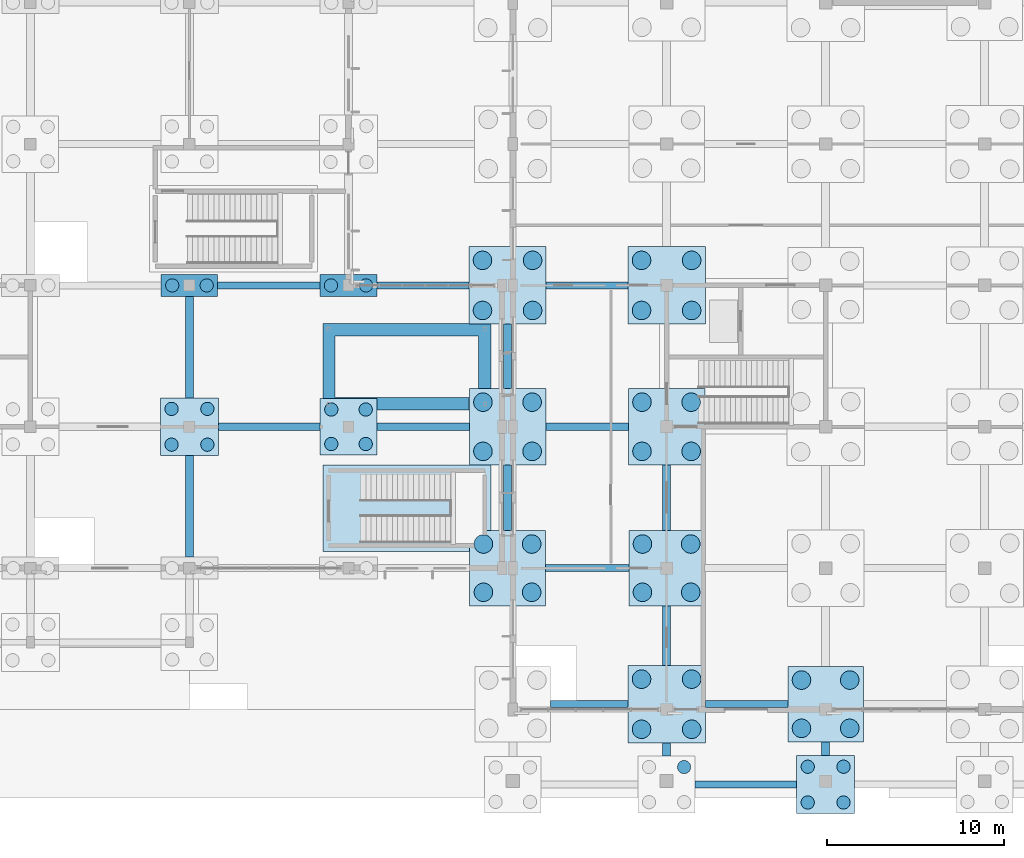
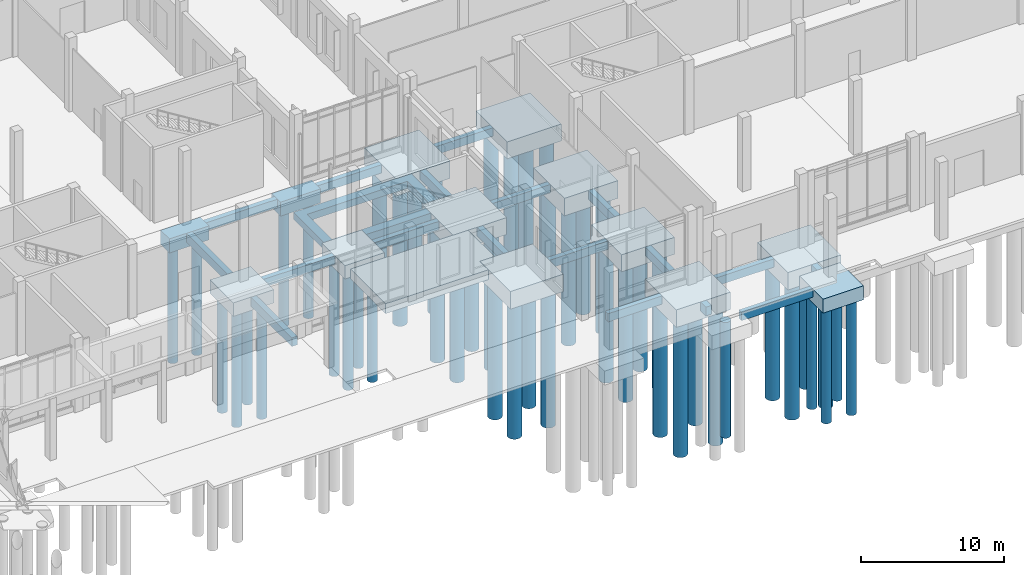
# One storey, part 12 of 99: 49 piles, 33 footings.
"""IFC4 building model written with IfcOpenShell, lengths in metres."""

from ifc_helpers import new_model, si_unit, direction, frame, origin, origin_2d, place, context, subcontext, project, spatial, polyline, rectangle, circle, outline, extrude, material, layer, layer_set, material_profile, profile_set, type_object, element, save


model = new_model("IFC4")

# Units and contexts
model_context = context("Model", 3, precision=1e-05, world=origin(), true_north=direction((0.0, 1.0)))
body_context = subcontext(model_context, "Body", "Model", "MODEL_VIEW")
ifc_project = project(units=[si_unit("LENGTHUNIT", "METRE"), si_unit("AREAUNIT", "SQUARE_METRE"), si_unit("VOLUMEUNIT", "CUBIC_METRE"), si_unit("PLANEANGLEUNIT", "RADIAN"), si_unit("MASSUNIT", "GRAM", prefix="KILO")], contexts=[model_context])

# Site, building, storey
site_placement = place(None, origin())
site = spatial("IfcSite", under=ifc_project, at=site_placement, CompositionType="ELEMENT")
building_placement = place(site_placement, origin())
building = spatial("IfcBuilding", under=site, at=building_placement, Name="Zacnel Wholesale Market", CompositionType="ELEMENT")
storey_placement = place(building_placement, origin())
storey = spatial("IfcBuildingStorey", under=building, at=storey_placement, Name="L01", CompositionType="ELEMENT", Elevation=0.0)

# Footings
ifc_material_1 = material(Name="Concrete C35/45", Category="concrete")
ifc_material_profile_1 = material_profile(ifc_material_1, rectangle(XDim=0.39990234375, YDim=0.699951171875, at=origin_2d()), Name="CT 400x700")
ifc_profile_set_1 = profile_set([ifc_material_profile_1], Name="Concrete C35/45")
footing_type_1 = type_object("IfcFootingType", Name="FTG-CT400X700", PredefinedType="FOOTING_BEAM", material=ifc_profile_set_1)
footing_1_placement = place(storey_placement, frame((154.6201171875, -4.25, -0.85009765625), z_axis=(1.0, 0.0, 0.0), x_axis=(0.0, 1.0, 0.0)))
element("IfcFooting", 1, at=footing_1_placement, inside=storey, type_object=footing_type_1, Name="Ground tie beam CT-X-0239", PredefinedType="FOOTING_BEAM", context=body_context, shape_type="SweptSolid", body=[
    extrude(rectangle(XDim=0.39990234375, YDim=0.699951171875, at=origin_2d()), origin(), (0.0, 0.0, 1.0), 5.744873046875),
])
footing_2_placement = place(storey_placement, frame((146.43994140625, 0.300048828125, -0.85009765625), z_axis=(1.0, 0.0, 0.0), x_axis=(0.0, 1.0, 0.0)))
element("IfcFooting", 2, at=footing_2_placement, inside=storey, type_object=footing_type_1, Name="Ground tie beam CT-X-0256", PredefinedType="FOOTING_BEAM", context=body_context, shape_type="SweptSolid", body=[
    extrude(rectangle(XDim=0.39990234375, YDim=0.699951171875, at=origin_2d()), origin(), (0.0, 0.0, 1.0), 4.3701171875),
])
footing_3_placement = place(storey_placement, frame((155.18994140625, 0.300048828125, -0.85009765625), z_axis=(1.0, 0.0, 0.0), x_axis=(0.0, 1.0, 0.0)))
element("IfcFooting", 3, at=footing_3_placement, inside=storey, type_object=footing_type_1, Name="Ground tie beam CT-X-0257", PredefinedType="FOOTING_BEAM", context=body_context, shape_type="SweptSolid", body=[
    extrude(rectangle(XDim=0.39990234375, YDim=0.699951171875, at=origin_2d()), origin(), (0.0, 0.0, 1.0), 4.670166015625),
])
footing_4_placement = place(storey_placement, frame((146.139892578125, 8.0, -0.85009765625), z_axis=(1.0, 0.0, 0.0), x_axis=(0.0, 1.0, 0.0)))
element("IfcFooting", 4, at=footing_4_placement, inside=storey, type_object=footing_type_1, Name="Ground tie beam CT-X-0277", PredefinedType="FOOTING_BEAM", context=body_context, shape_type="SweptSolid", body=[
    extrude(rectangle(XDim=0.39990234375, YDim=0.699951171875, at=origin_2d()), origin(), (0.0, 0.0, 1.0), 4.72021484375),
])
footing_5_placement = place(storey_placement, frame((127.635009765625, 16.0, -0.85009765625), z_axis=(1.0, 0.0, 0.0), x_axis=(0.0, 1.0, 0.0)))
element("IfcFooting", 5, at=footing_5_placement, inside=storey, type_object=footing_type_1, Name="Ground tie beam CT-X-0290", PredefinedType="FOOTING_BEAM", context=body_context, shape_type="SweptSolid", body=[
    extrude(rectangle(XDim=0.39990234375, YDim=0.699951171875, at=origin_2d()), origin(), (0.0, 0.0, 1.0), 5.764892578125),
])
footing_6_placement = place(storey_placement, frame((136.60009765625, 16.0, -0.85009765625), z_axis=(1.0, 0.0, 0.0), x_axis=(0.0, 1.0, 0.0)))
element("IfcFooting", 6, at=footing_6_placement, inside=storey, type_object=footing_type_1, Name="Ground tie beam CT-X-0291", PredefinedType="FOOTING_BEAM", context=body_context, shape_type="SweptSolid", body=[
    extrude(rectangle(XDim=0.39990234375, YDim=0.699951171875, at=origin_2d()), origin(), (0.0, 0.0, 1.0), 5.23486328125),
])
footing_7_placement = place(storey_placement, frame((146.1650390625, 16.0, -0.85009765625), z_axis=(1.0, 0.0, 0.0), x_axis=(0.0, 1.0, 0.0)))
element("IfcFooting", 7, at=footing_7_placement, inside=storey, type_object=footing_type_1, Name="Ground tie beam CT-X-0292", PredefinedType="FOOTING_BEAM", context=body_context, shape_type="SweptSolid", body=[
    extrude(rectangle(XDim=0.39990234375, YDim=0.699951171875, at=origin_2d()), origin(), (0.0, 0.0, 1.0), 4.669921875),
])
footing_8_placement = place(storey_placement, frame((127.60009765625, 24.0, -0.85009765625), z_axis=(1.0, 0.0, 0.0), x_axis=(0.0, 1.0, 0.0)))
element("IfcFooting", 8, at=footing_8_placement, inside=storey, type_object=footing_type_1, Name="Ground tie beam CT-X-0310", PredefinedType="FOOTING_BEAM", context=body_context, shape_type="SweptSolid", body=[
    extrude(rectangle(XDim=0.39990234375, YDim=0.699951171875, at=origin_2d()), origin(), (0.0, 0.0, 1.0), 5.77978515625),
])
footing_9_placement = place(storey_placement, frame((136.6201171875, 24.0, -0.85009765625), z_axis=(1.0, 0.0, 0.0), x_axis=(0.0, 1.0, 0.0)))
element("IfcFooting", 9, at=footing_9_placement, inside=storey, type_object=footing_type_1, Name="Ground tie beam CT-X-0311", PredefinedType="FOOTING_BEAM", context=body_context, shape_type="SweptSolid", body=[
    extrude(rectangle(XDim=0.39990234375, YDim=0.699951171875, at=origin_2d()), origin(), (0.0, 0.0, 1.0), 5.18994140625),
])
footing_10_placement = place(storey_placement, frame((146.18994140625, 24.0, -0.85009765625), z_axis=(1.0, 0.0, 0.0), x_axis=(0.0, 1.0, 0.0)))
element("IfcFooting", 10, at=footing_10_placement, inside=storey, type_object=footing_type_1, Name="Ground tie beam CT-X-0312", PredefinedType="FOOTING_BEAM", context=body_context, shape_type="SweptSolid", body=[
    extrude(rectangle(XDim=0.39990234375, YDim=0.699951171875, at=origin_2d()), origin(), (0.0, 0.0, 1.0), 4.6201171875),
])
ifc_material_2 = material(Name="Concrete C35/45", Category="concrete")
ifc_material_profile_2 = material_profile(ifc_material_2, rectangle(XDim=0.449951171875, YDim=0.75, at=origin_2d()), Name="CT 450x750")
ifc_profile_set_2 = profile_set([ifc_material_profile_2], Name="Concrete C35/45")
footing_type_2 = type_object("IfcFootingType", Name="FTG-CT450X750", PredefinedType="FOOTING_BEAM", material=ifc_profile_set_2)
for number, where, z_axis, x_axis, name in (
    (11, (126.0, 8.625, -0.875), (0.0, 1.0, 0.0), (-1.0, 0.0, 0.0), "Ground tie beam CT-Y-0133"),
    (12, (126.0, 17.635009765625, -0.875), (0.0, 1.0, 0.0), (-1.0, 0.0, 0.0), "Ground tie beam CT-Y-0134"),
):
    element("IfcFooting", number, at=place(storey_placement, frame(where, z_axis=z_axis, x_axis=x_axis)), inside=storey, type_object=footing_type_2, Name=name, PredefinedType="FOOTING_BEAM", context=body_context, shape_type="SweptSolid", body=[
        extrude(rectangle(XDim=0.449951171875, YDim=0.75, at=origin_2d()), origin(), (0.0, 0.0, 1.0), 5.739990234375),
    ])
footing_11_placement = place(storey_placement, frame((144.0, 10.139892578125, -0.875), z_axis=(0.0, 1.0, 0.0), x_axis=(-1.0, 0.0, 0.0)))
element("IfcFooting", 13, at=footing_11_placement, inside=storey, type_object=footing_type_2, Name="Ground tie beam CT-Y-0143", PredefinedType="FOOTING_BEAM", context=body_context, shape_type="SweptSolid", body=[
    extrude(rectangle(XDim=0.449951171875, YDim=0.75, at=origin_2d()), origin(), (0.0, 0.0, 1.0), 3.695068359375),
])
footing_12_placement = place(storey_placement, frame((144.0, 18.1650390625, -0.875), z_axis=(0.0, 1.0, 0.0), x_axis=(-1.0, 0.0, 0.0)))
element("IfcFooting", 14, at=footing_12_placement, inside=storey, type_object=footing_type_2, Name="Ground tie beam CT-Y-0144", PredefinedType="FOOTING_BEAM", context=body_context, shape_type="SweptSolid", body=[
    extrude(rectangle(XDim=0.449951171875, YDim=0.75, at=origin_2d()), origin(), (0.0, 0.0, 1.0), 3.64501953125),
])
footing_13_placement = place(storey_placement, frame((153.0, -2.6298828125, -0.875), z_axis=(0.0, 1.0, 0.0), x_axis=(-1.0, 0.0, 0.0)))
element("IfcFooting", 15, at=footing_13_placement, inside=storey, type_object=footing_type_2, Name="Ground tie beam CT-Y-0154", PredefinedType="FOOTING_BEAM", context=body_context, shape_type="SweptSolid", body=[
    extrude(rectangle(XDim=0.449951171875, YDim=0.75, at=origin_2d()), origin(), (0.0, 0.0, 1.0), 0.739990234375),
])
footing_14_placement = place(storey_placement, frame((153.0, 2.489990234375, -0.875), z_axis=(0.0, 1.0, 0.0), x_axis=(-1.0, 0.0, 0.0)))
element("IfcFooting", 16, at=footing_14_placement, inside=storey, type_object=footing_type_2, Name="Ground tie beam CT-Y-0155", PredefinedType="FOOTING_BEAM", context=body_context, shape_type="SweptSolid", body=[
    extrude(rectangle(XDim=0.449951171875, YDim=0.75, at=origin_2d()), origin(), (0.0, 0.0, 1.0), 3.3701171875),
])
footing_15_placement = place(storey_placement, frame((153.0, 10.139892578125, -0.875), z_axis=(0.0, 1.0, 0.0), x_axis=(-1.0, 0.0, 0.0)))
element("IfcFooting", 17, at=footing_15_placement, inside=storey, type_object=footing_type_2, Name="Ground tie beam CT-Y-0156", PredefinedType="FOOTING_BEAM", context=body_context, shape_type="SweptSolid", body=[
    extrude(rectangle(XDim=0.449951171875, YDim=0.75, at=origin_2d()), origin(), (0.0, 0.0, 1.0), 3.695068359375),
])
footing_16_placement = place(storey_placement, frame((162.0, -2.614990234375, -0.875), z_axis=(0.0, 1.0, 0.0), x_axis=(-1.0, 0.0, 0.0)))
element("IfcFooting", 18, at=footing_16_placement, inside=storey, type_object=footing_type_2, Name="Ground tie beam CT-Y-0164", PredefinedType="FOOTING_BEAM", context=body_context, shape_type="SweptSolid", body=[
    extrude(rectangle(XDim=0.449951171875, YDim=0.75, at=origin_2d()), origin(), (0.0, 0.0, 1.0), 0.77490234375),
])
ifc_material_3 = material(Name="Concrete C35/45", Category="concrete")
ifc_layer_1 = layer(ifc_material_3, 1.199951171875)
ifc_layer_set_1 = layer_set([ifc_layer_1], Name="Concrete C35/45")
footing_type_3 = type_object("IfcFootingType", Name="FTG-PC-3200X1250X1200", PredefinedType="PILE_CAP", material=ifc_layer_set_1)
footing_17_placement = place(storey_placement, frame((126.0, 24.0, -1.7001953125), z_axis=(0.0, 0.0, 1.0), x_axis=(1.0, 0.0, 0.0)))
element("IfcFooting", 19, at=footing_17_placement, inside=storey, type_object=footing_type_3, Name="Pile cap PC-12 (STR-PC-180)", PredefinedType="PILE_CAP", context=body_context, shape_type="SweptSolid", body=[
    extrude(rectangle(XDim=3.199951171875, YDim=1.25, at=origin_2d()), origin(), (0.0, 0.0, 1.0), 1.199951171875),
])
ifc_material_4 = material(Name="Concrete C35/45", Category="concrete")
ifc_layer_2 = layer(ifc_material_4, 1.14990234375)
ifc_layer_set_2 = layer_set([ifc_layer_2], Name="Concrete C35/45")
footing_type_4 = type_object("IfcFootingType", Name="FTG-PC-3200X3200X1150", PredefinedType="PILE_CAP", material=ifc_layer_set_2)
footing_18_placement = place(storey_placement, frame((135.0, 16.0, -1.64990234375), z_axis=(0.0, 0.0, 1.0), x_axis=(1.0, 0.0, 0.0)))
element("IfcFooting", 20, at=footing_18_placement, inside=storey, type_object=footing_type_4, Name="Pile cap PC-09 (STR-PC-189)", PredefinedType="PILE_CAP", context=body_context, shape_type="SweptSolid", body=[
    extrude(rectangle(XDim=3.199951171875, YDim=3.199951171875, at=origin_2d()), origin(), (0.0, 0.0, 1.0), 1.14990234375),
])
ifc_material_5 = material(Name="Concrete C35/45", Category="concrete")
ifc_layer_3 = layer(ifc_material_5, 1.199951171875)
ifc_layer_set_3 = layer_set([ifc_layer_3], Name="Concrete C35/45")
footing_type_5 = type_object("IfcFootingType", Name="FTG-PC-3240X1250X1200", PredefinedType="PILE_CAP", material=ifc_layer_set_3)
footing_19_placement = place(storey_placement, frame((135.0, 24.0, -1.7001953125), z_axis=(0.0, 0.0, 1.0), x_axis=(1.0, 0.0, 0.0)))
element("IfcFooting", 21, at=footing_19_placement, inside=storey, type_object=footing_type_5, Name="Pile cap PC-10 (STR-PC-190)", PredefinedType="PILE_CAP", context=body_context, shape_type="SweptSolid", body=[
    extrude(rectangle(XDim=3.239990234375, YDim=1.25, at=origin_2d()), origin(), (0.0, 0.0, 1.0), 1.199951171875),
])
ifc_material_6 = material(Name="Concrete C35/45", Category="concrete")
ifc_layer_4 = layer(ifc_material_6, 1.14990234375)
ifc_layer_set_4 = layer_set([ifc_layer_4], Name="Concrete C35/45")
footing_type_6 = type_object("IfcFootingType", Name="FTG-PC-3270X3270X1150", PredefinedType="PILE_CAP", material=ifc_layer_set_4)
footing_20_placement = place(storey_placement, frame((126.0, 16.0, -1.64990234375), z_axis=(0.0, 0.0, 1.0), x_axis=(1.0, 0.0, 0.0)))
element("IfcFooting", 22, at=footing_20_placement, inside=storey, type_object=footing_type_6, Name="Pile cap PC-11 (STR-PC-179)", PredefinedType="PILE_CAP", context=body_context, shape_type="SweptSolid", body=[
    extrude(rectangle(XDim=3.27001953125, YDim=3.27001953125, at=origin_2d()), origin(), (0.0, 0.0, 1.0), 1.14990234375),
])
ifc_material_7 = material(Name="Concrete C35/45", Category="concrete")
ifc_layer_5 = layer(ifc_material_7, 1.199951171875)
ifc_layer_set_5 = layer_set([ifc_layer_5], Name="Concrete C35/45")
footing_type_7 = type_object("IfcFootingType", Name="FTG-PC-3270X3270X1200", PredefinedType="PILE_CAP", material=ifc_layer_set_5)
footing_21_placement = place(storey_placement, frame((162.0, -4.25, -1.7001953125), z_axis=(0.0, 0.0, 1.0), x_axis=(1.0, 0.0, 0.0)))
element("IfcFooting", 23, at=footing_21_placement, inside=storey, type_object=footing_type_7, Name="Pile cap PC-23 (STR-PC-R2-BV5-03)", PredefinedType="PILE_CAP", context=body_context, shape_type="SweptSolid", body=[
    extrude(rectangle(XDim=3.27001953125, YDim=3.27001953125, at=origin_2d()), origin(), (0.0, 0.0, 1.0), 1.199951171875),
])
ifc_material_8 = material(Name="Concrete C35/45", Category="concrete")
ifc_layer_6 = layer(ifc_material_8, 1.449951171875)
ifc_layer_set_6 = layer_set([ifc_layer_6], Name="Concrete C35/45")
footing_type_8 = type_object("IfcFootingType", Name="FTG-PC-4280X4280X1450", PredefinedType="PILE_CAP", material=ifc_layer_set_6)
footing_22_placement = place(storey_placement, frame((153.0, 8.0, -1.9501953125), z_axis=(0.0, 0.0, 1.0), x_axis=(1.0, 0.0, 0.0)))
element("IfcFooting", 24, at=footing_22_placement, inside=storey, type_object=footing_type_8, Name="Pile cap PC-16 (STR-PC-213)", PredefinedType="PILE_CAP", context=body_context, shape_type="SweptSolid", body=[
    extrude(rectangle(XDim=4.280029296875, YDim=4.280029296875, at=origin_2d()), origin(), (0.0, 0.0, 1.0), 1.449951171875),
])
ifc_material_9 = material(Name="Concrete C35/45", Category="concrete")
ifc_layer_7 = layer(ifc_material_9, 1.5)
ifc_layer_set_7 = layer_set([ifc_layer_7], Name="Concrete C35/45")
footing_type_9 = type_object("IfcFootingType", Name="FTG-PC-4280X4280X1500", PredefinedType="PILE_CAP", material=ifc_layer_set_7)
for number, where, z_axis, x_axis, name in (
    (25, (144.0, 8.0, -2.0), (0.0, 0.0, 1.0), (1.0, 0.0, 0.0), "Pile cap PC-15 (STR-PC-198)"),
    (26, (162.0, 0.300048828125, -2.0), (0.0, 0.0, 1.0), (1.0, 0.0, 0.0), "Pile cap PC-15 (STR-PC-222)"),
):
    element("IfcFooting", number, at=place(storey_placement, frame(where, z_axis=z_axis, x_axis=x_axis)), inside=storey, type_object=footing_type_9, Name=name, PredefinedType="PILE_CAP", context=body_context, shape_type="SweptSolid", body=[
        extrude(rectangle(XDim=4.280029296875, YDim=4.280029296875, at=origin_2d()), origin(), (0.0, 0.0, 1.0), 1.5),
    ])
ifc_material_10 = material(Name="Concrete C35/45", Category="concrete")
ifc_layer_8 = layer(ifc_material_10, 1.449951171875)
ifc_layer_set_8 = layer_set([ifc_layer_8], Name="Concrete C35/45")
footing_type_10 = type_object("IfcFootingType", Name="FTG-PC-4330X4330X1450", PredefinedType="PILE_CAP", material=ifc_layer_set_8)
footing_23_placement = place(storey_placement, frame((144.0, 16.0, -1.9501953125), z_axis=(0.0, 0.0, 1.0), x_axis=(1.0, 0.0, 0.0)))
element("IfcFooting", 27, at=footing_23_placement, inside=storey, type_object=footing_type_10, Name="Pile cap PC-19 (STR-PC-199)", PredefinedType="PILE_CAP", context=body_context, shape_type="SweptSolid", body=[
    extrude(rectangle(XDim=4.330078125, YDim=4.330078125, at=origin_2d()), origin(), (0.0, 0.0, 1.0), 1.449951171875),
])
ifc_material_11 = material(Name="Concrete C35/45", Category="concrete")
ifc_layer_9 = layer(ifc_material_11, 1.5)
ifc_layer_set_9 = layer_set([ifc_layer_9], Name="Concrete C35/45")
footing_type_11 = type_object("IfcFootingType", Name="FTG-PC-4330X4330X1500", PredefinedType="PILE_CAP", material=ifc_layer_set_9)
footing_24_placement = place(storey_placement, frame((153.0, 16.0, -2.0), z_axis=(0.0, 0.0, 1.0), x_axis=(1.0, 0.0, 0.0)))
element("IfcFooting", 28, at=footing_24_placement, inside=storey, type_object=footing_type_11, Name="Pile cap PC-17 (STR-PC-214)", PredefinedType="PILE_CAP", context=body_context, shape_type="SweptSolid", body=[
    extrude(rectangle(XDim=4.330078125, YDim=4.330078125, at=origin_2d()), origin(), (0.0, 0.0, 1.0), 1.5),
])
ifc_material_12 = material(Name="Concrete C35/45", Category="concrete")
ifc_layer_10 = layer(ifc_material_12, 1.449951171875)
ifc_layer_set_10 = layer_set([ifc_layer_10], Name="Concrete C35/45")
footing_type_12 = type_object("IfcFootingType", Name="FTG-PC-4380X4380X1450", PredefinedType="PILE_CAP", material=ifc_layer_set_10)
footing_25_placement = place(storey_placement, frame((153.0, 24.0, -1.9501953125), z_axis=(0.0, 0.0, 1.0), x_axis=(1.0, 0.0, 0.0)))
element("IfcFooting", 29, at=footing_25_placement, inside=storey, type_object=footing_type_12, Name="Pile cap PC-14 (STR-PC-215)", PredefinedType="PILE_CAP", context=body_context, shape_type="SweptSolid", body=[
    extrude(rectangle(XDim=4.3798828125, YDim=4.3798828125, at=origin_2d()), origin(), (0.0, 0.0, 1.0), 1.449951171875),
])
ifc_material_13 = material(Name="Concrete C35/45", Category="concrete")
ifc_layer_11 = layer(ifc_material_13, 1.5)
ifc_layer_set_11 = layer_set([ifc_layer_11], Name="Concrete C35/45")
footing_type_13 = type_object("IfcFootingType", Name="FTG-PC-4380X4380X1500", PredefinedType="PILE_CAP", material=ifc_layer_set_11)
for number, where, z_axis, x_axis, name in (
    (30, (144.0, 24.0, -2.0), (0.0, 0.0, 1.0), (1.0, 0.0, 0.0), "Pile cap PC-18 (STR-PC-200)"),
    (31, (153.0, 0.300048828125, -2.0), (0.0, 0.0, 1.0), (1.0, 0.0, 0.0), "Pile cap PC-18 (STR-PC-212)"),
):
    element("IfcFooting", number, at=place(storey_placement, frame(where, z_axis=z_axis, x_axis=x_axis)), inside=storey, type_object=footing_type_13, Name=name, PredefinedType="PILE_CAP", context=body_context, shape_type="SweptSolid", body=[
        extrude(rectangle(XDim=4.3798828125, YDim=4.3798828125, at=origin_2d()), origin(), (0.0, 0.0, 1.0), 1.5),
    ])
ifc_material_14 = material(Name="Concrete C35/45", Category="concrete")
ifc_layer_12 = layer(ifc_material_14, 0.85009765625)
ifc_layer_set_12 = layer_set([ifc_layer_12], Name="Concrete C35/45")
footing_type_14 = type_object("IfcFootingType", Name="FTG-STAIR-MAT-7800X6800", PredefinedType="PAD_FOOTING", material=ifc_layer_set_12)
footing_26_placement = place(storey_placement, frame((0.0, 0.0, -1.35009765625)))
element("IfcFooting", 32, at=footing_26_placement, inside=storey, type_object=footing_type_14, Name="Stair ST-24 mat footing 019", PredefinedType="PAD_FOOTING", context=body_context, shape_type="SweptSolid", body=[
    extrude(outline(polyline([(133.550048828125, 13.85009765625), (141.8330078125, 13.85009765625), (141.8330078125, 13.8349609375), (141.8330078125, 13.834716796875), (141.8330078125, 13.834716796875), (141.8330078125, 13.83447265625), (141.833251953125, 13.834228515625), (141.833251953125, 13.833984375), (141.833251953125, 13.833984375), (141.83349609375, 13.833740234375), (141.83349609375, 13.83349609375), (141.833740234375, 13.83349609375), (141.833984375, 13.833251953125), (141.833984375, 13.833251953125), (141.834228515625, 13.833251953125), (141.83447265625, 13.8330078125), (141.834716796875, 13.8330078125), (141.834716796875, 13.8330078125), (141.8349609375, 13.8330078125), (143.050048828125, 13.8330078125), (143.050048828125, 10.14208984375), (141.860107421875, 10.14208984375), (141.85986328125, 10.14208984375), (141.859619140625, 10.14208984375), (141.859375, 10.141845703125), (141.859130859375, 10.141845703125), (141.859130859375, 10.141845703125), (141.85888671875, 10.1416015625), (141.858642578125, 10.1416015625), (141.858642578125, 10.141357421875), (141.8583984375, 10.141357421875), (141.8583984375, 10.14111328125), (141.858154296875, 10.140869140625), (141.858154296875, 10.140869140625), (141.858154296875, 10.140625), (141.85791015625, 10.140380859375), (141.85791015625, 10.14013671875), (141.85791015625, 10.139892578125), (141.85791015625, 8.949951171875), (133.550048828125, 8.949951171875), (133.550048828125, 13.85009765625)])), origin(), (0.0, 0.0, 1.0), 0.85009765625),
])
ifc_material_15 = material(Name="Concrete C35/45", Category="concrete")
ifc_layer_13 = layer(ifc_material_15, 0.60009765625)
ifc_layer_set_13 = layer_set([ifc_layer_13], Name="Concrete C35/45")
footing_type_15 = type_object("IfcFootingType", Name="FTG-STRIP-600X600", PredefinedType="STRIP_FOOTING", material=ifc_layer_set_13)
footing_27_placement = place(storey_placement, frame((0.0, 0.0, -1.10009765625)))
element("IfcFooting", 33, at=footing_27_placement, inside=storey, type_object=footing_type_15, Name="Stair ST-25 shaft strip footing", PredefinedType="STRIP_FOOTING", context=body_context, shape_type="SweptSolid", body=[
    extrude(outline(polyline([(143.050048828125, 18.1669921875), (142.35009765625, 18.1669921875), (142.35009765625, 21.14990234375), (134.25, 21.14990234375), (134.25, 17.64990234375), (141.8330078125, 17.64990234375), (141.8330078125, 16.949951171875), (136.60205078125, 16.949951171875), (136.60205078125, 17.60009765625), (136.60205078125, 17.60009765625), (136.60205078125, 17.600341796875), (136.601806640625, 17.6005859375), (136.601806640625, 17.600830078125), (136.601806640625, 17.600830078125), (136.601806640625, 17.60107421875), (136.6015625, 17.601318359375), (136.601318359375, 17.601318359375), (136.601318359375, 17.6015625), (136.60107421875, 17.601806640625), (136.600830078125, 17.601806640625), (136.600830078125, 17.601806640625), (136.6005859375, 17.601806640625), (136.600341796875, 17.60205078125), (136.60009765625, 17.60205078125), (136.60009765625, 17.60205078125), (133.550048828125, 17.60205078125), (133.550048828125, 21.85009765625), (141.80810546875, 21.85009765625), (141.80810546875, 21.81005859375), (141.80810546875, 21.809814453125), (141.80810546875, 21.8095703125), (141.80810546875, 21.809326171875), (141.80810546875, 21.80908203125), (141.80810546875, 21.80908203125), (141.808349609375, 21.808837890625), (141.80859375, 21.80859375), (141.80859375, 21.80859375), (141.80859375, 21.80859375), (141.808837890625, 21.808349609375), (141.80908203125, 21.80810546875), (141.80908203125, 21.80810546875), (141.809326171875, 21.80810546875), (141.8095703125, 21.80810546875), (141.809814453125, 21.80810546875), (141.81005859375, 21.80810546875), (143.050048828125, 21.80810546875), (143.050048828125, 18.1669921875)])), origin(), (0.0, 0.0, 1.0), 0.60009765625),
])

# Piles
ifc_material_16 = material(Name="Concrete C35/45", Category="concrete")
ifc_material_profile_3 = material_profile(ifc_material_16, circle(Radius=0.52490234375, at=origin_2d()), Name="BORED PILE D1050")
ifc_profile_set_3 = profile_set([ifc_material_profile_3], Name="Concrete C35/45")
pile_type_1 = type_object("IfcPileType", Name="PILE-BORED-1050", PredefinedType="BORED", material=ifc_profile_set_3)
for number, where, z_axis, x_axis, name in (
    (34, (142.635009765625, 6.635009765625, -1.89990234375), (0.0, 0.0, -1.0), (1.0, 0.0, 0.0), "Bored pile STR-PILE-198-01"),
    (35, (142.635009765625, 9.364990234375, -1.89990234375), (0.0, 0.0, -1.0), (1.0, 0.0, 0.0), "Bored pile STR-PILE-198-02"),
    (36, (145.364990234375, 6.635009765625, -1.89990234375), (0.0, 0.0, -1.0), (1.0, 0.0, 0.0), "Bored pile STR-PILE-198-03"),
    (37, (145.364990234375, 9.364990234375, -1.89990234375), (0.0, 0.0, -1.0), (1.0, 0.0, 0.0), "Bored pile STR-PILE-198-04"),
):
    element("IfcPile", number, at=place(storey_placement, frame(where, z_axis=z_axis, x_axis=x_axis)), inside=storey, type_object=pile_type_1, Name=name, PredefinedType="BORED", context=body_context, shape_type="SweptSolid", body=[
        extrude(circle(Radius=0.52490234375, at=origin_2d()), origin(), (0.0, 0.0, 1.0), 11.60009765625),
    ])
for number, where, z_axis, x_axis, name in (
    (38, (142.6083984375, 14.6083984375, -1.85009765625), (0.0, 0.0, -1.0), (1.0, 0.0, 0.0), "Bored pile STR-PILE-199-01"),
    (39, (142.6083984375, 17.3916015625, -1.85009765625), (0.0, 0.0, -1.0), (1.0, 0.0, 0.0), "Bored pile STR-PILE-199-02"),
    (40, (145.3916015625, 14.6083984375, -1.85009765625), (0.0, 0.0, -1.0), (1.0, 0.0, 0.0), "Bored pile STR-PILE-199-03"),
    (41, (145.3916015625, 17.3916015625, -1.85009765625), (0.0, 0.0, -1.0), (1.0, 0.0, 0.0), "Bored pile STR-PILE-199-04"),
):
    element("IfcPile", number, at=place(storey_placement, frame(where, z_axis=z_axis, x_axis=x_axis)), inside=storey, type_object=pile_type_1, Name=name, PredefinedType="BORED", context=body_context, shape_type="SweptSolid", body=[
        extrude(circle(Radius=0.52490234375, at=origin_2d()), origin(), (0.0, 0.0, 1.0), 11.64990234375),
    ])
for number, where, z_axis, x_axis, name in (
    (42, (142.58251953125, 22.58251953125, -1.89990234375), (0.0, 0.0, -1.0), (1.0, 0.0, 0.0), "Bored pile STR-PILE-200-01"),
    (43, (142.58251953125, 25.41748046875, -1.89990234375), (0.0, 0.0, -1.0), (1.0, 0.0, 0.0), "Bored pile STR-PILE-200-02"),
    (44, (145.41748046875, 22.58251953125, -1.89990234375), (0.0, 0.0, -1.0), (1.0, 0.0, 0.0), "Bored pile STR-PILE-200-03"),
    (45, (145.41748046875, 25.41748046875, -1.89990234375), (0.0, 0.0, -1.0), (1.0, 0.0, 0.0), "Bored pile STR-PILE-200-04"),
    (46, (151.58251953125, -1.117431640625, -1.89990234375), (0.0, 0.0, -1.0), (1.0, 0.0, 0.0), "Bored pile STR-PILE-212-01"),
    (47, (151.58251953125, 1.717529296875, -1.89990234375), (0.0, 0.0, -1.0), (1.0, 0.0, 0.0), "Bored pile STR-PILE-212-02"),
    (48, (154.41748046875, -1.117431640625, -1.89990234375), (0.0, 0.0, -1.0), (1.0, 0.0, 0.0), "Bored pile STR-PILE-212-03"),
    (49, (154.41748046875, 1.717529296875, -1.89990234375), (0.0, 0.0, -1.0), (1.0, 0.0, 0.0), "Bored pile STR-PILE-212-04"),
):
    element("IfcPile", number, at=place(storey_placement, frame(where, z_axis=z_axis, x_axis=x_axis)), inside=storey, type_object=pile_type_1, Name=name, PredefinedType="BORED", context=body_context, shape_type="SweptSolid", body=[
        extrude(circle(Radius=0.52490234375, at=origin_2d()), origin(), (0.0, 0.0, 1.0), 11.60009765625),
    ])
for number, where, z_axis, x_axis, name in (
    (50, (151.635009765625, 6.635009765625, -1.85009765625), (0.0, 0.0, -1.0), (1.0, 0.0, 0.0), "Bored pile STR-PILE-213-01"),
    (51, (151.635009765625, 9.364990234375, -1.85009765625), (0.0, 0.0, -1.0), (1.0, 0.0, 0.0), "Bored pile STR-PILE-213-02"),
    (52, (154.364990234375, 6.635009765625, -1.85009765625), (0.0, 0.0, -1.0), (1.0, 0.0, 0.0), "Bored pile STR-PILE-213-03"),
    (53, (154.364990234375, 9.364990234375, -1.85009765625), (0.0, 0.0, -1.0), (1.0, 0.0, 0.0), "Bored pile STR-PILE-213-04"),
):
    element("IfcPile", number, at=place(storey_placement, frame(where, z_axis=z_axis, x_axis=x_axis)), inside=storey, type_object=pile_type_1, Name=name, PredefinedType="BORED", context=body_context, shape_type="SweptSolid", body=[
        extrude(circle(Radius=0.52490234375, at=origin_2d()), origin(), (0.0, 0.0, 1.0), 11.64990234375),
    ])
for number, where, z_axis, x_axis, name in (
    (54, (151.6083984375, 14.6083984375, -1.89990234375), (0.0, 0.0, -1.0), (1.0, 0.0, 0.0), "Bored pile STR-PILE-214-01"),
    (55, (151.6083984375, 17.3916015625, -1.89990234375), (0.0, 0.0, -1.0), (1.0, 0.0, 0.0), "Bored pile STR-PILE-214-02"),
    (56, (154.3916015625, 14.6083984375, -1.89990234375), (0.0, 0.0, -1.0), (1.0, 0.0, 0.0), "Bored pile STR-PILE-214-03"),
    (57, (154.3916015625, 17.3916015625, -1.89990234375), (0.0, 0.0, -1.0), (1.0, 0.0, 0.0), "Bored pile STR-PILE-214-04"),
):
    element("IfcPile", number, at=place(storey_placement, frame(where, z_axis=z_axis, x_axis=x_axis)), inside=storey, type_object=pile_type_1, Name=name, PredefinedType="BORED", context=body_context, shape_type="SweptSolid", body=[
        extrude(circle(Radius=0.52490234375, at=origin_2d()), origin(), (0.0, 0.0, 1.0), 11.60009765625),
    ])
for number, where, z_axis, x_axis, name in (
    (58, (151.58251953125, 22.58251953125, -1.85009765625), (0.0, 0.0, -1.0), (1.0, 0.0, 0.0), "Bored pile STR-PILE-215-01"),
    (59, (151.58251953125, 25.41748046875, -1.85009765625), (0.0, 0.0, -1.0), (1.0, 0.0, 0.0), "Bored pile STR-PILE-215-02"),
    (60, (154.41748046875, 22.58251953125, -1.85009765625), (0.0, 0.0, -1.0), (1.0, 0.0, 0.0), "Bored pile STR-PILE-215-03"),
    (61, (154.41748046875, 25.41748046875, -1.85009765625), (0.0, 0.0, -1.0), (1.0, 0.0, 0.0), "Bored pile STR-PILE-215-04"),
):
    element("IfcPile", number, at=place(storey_placement, frame(where, z_axis=z_axis, x_axis=x_axis)), inside=storey, type_object=pile_type_1, Name=name, PredefinedType="BORED", context=body_context, shape_type="SweptSolid", body=[
        extrude(circle(Radius=0.52490234375, at=origin_2d()), origin(), (0.0, 0.0, 1.0), 11.64990234375),
    ])
for number, where, z_axis, x_axis, name in (
    (62, (160.635009765625, -1.06494140625, -1.89990234375), (0.0, 0.0, -1.0), (1.0, 0.0, 0.0), "Bored pile STR-PILE-222-01"),
    (63, (160.635009765625, 1.6650390625, -1.89990234375), (0.0, 0.0, -1.0), (1.0, 0.0, 0.0), "Bored pile STR-PILE-222-02"),
    (64, (163.364990234375, -1.06494140625, -1.89990234375), (0.0, 0.0, -1.0), (1.0, 0.0, 0.0), "Bored pile STR-PILE-222-03"),
    (65, (163.364990234375, 1.6650390625, -1.89990234375), (0.0, 0.0, -1.0), (1.0, 0.0, 0.0), "Bored pile STR-PILE-222-04"),
):
    element("IfcPile", number, at=place(storey_placement, frame(where, z_axis=z_axis, x_axis=x_axis)), inside=storey, type_object=pile_type_1, Name=name, PredefinedType="BORED", context=body_context, shape_type="SweptSolid", body=[
        extrude(circle(Radius=0.52490234375, at=origin_2d()), origin(), (0.0, 0.0, 1.0), 11.60009765625),
    ])
ifc_material_17 = material(Name="Concrete C35/45", Category="concrete")
ifc_material_profile_4 = material_profile(ifc_material_17, circle(Radius=0.375, at=origin_2d()), Name="BORED PILE D750")
ifc_profile_set_4 = profile_set([ifc_material_profile_4], Name="Concrete C35/45")
pile_type_2 = type_object("IfcPileType", Name="PILE-BORED-750", PredefinedType="BORED", material=ifc_profile_set_4)
for number, where, z_axis, x_axis, name in (
    (66, (124.987548828125, 14.987548828125, -1.550048828125), (0.0, 0.0, -1.0), (1.0, 0.0, 0.0), "Bored pile STR-PILE-179-01"),
    (67, (124.987548828125, 17.012451171875, -1.550048828125), (0.0, 0.0, -1.0), (1.0, 0.0, 0.0), "Bored pile STR-PILE-179-02"),
    (68, (127.012451171875, 14.987548828125, -1.550048828125), (0.0, 0.0, -1.0), (1.0, 0.0, 0.0), "Bored pile STR-PILE-179-03"),
    (69, (127.012451171875, 17.012451171875, -1.550048828125), (0.0, 0.0, -1.0), (1.0, 0.0, 0.0), "Bored pile STR-PILE-179-04"),
):
    element("IfcPile", number, at=place(storey_placement, frame(where, z_axis=z_axis, x_axis=x_axis)), inside=storey, type_object=pile_type_2, Name=name, PredefinedType="BORED", context=body_context, shape_type="SweptSolid", body=[
        extrude(circle(Radius=0.375, at=origin_2d()), origin(), (0.0, 0.0, 1.0), 9.949951171875),
    ])
for number, where, z_axis, x_axis, name in (
    (70, (125.02490234375, 24.0, -1.60009765625), (0.0, 0.0, -1.0), (1.0, 0.0, 0.0), "Bored pile STR-PILE-180-01"),
    (71, (126.97509765625, 24.0, -1.60009765625), (0.0, 0.0, -1.0), (1.0, 0.0, 0.0), "Bored pile STR-PILE-180-02"),
):
    element("IfcPile", number, at=place(storey_placement, frame(where, z_axis=z_axis, x_axis=x_axis)), inside=storey, type_object=pile_type_2, Name=name, PredefinedType="BORED", context=body_context, shape_type="SweptSolid", body=[
        extrude(circle(Radius=0.375, at=origin_2d()), origin(), (0.0, 0.0, 1.0), 9.89990234375),
    ])
for number, where, z_axis, x_axis, name in (
    (72, (134.02490234375, 15.02490234375, -1.550048828125), (0.0, 0.0, -1.0), (1.0, 0.0, 0.0), "Bored pile STR-PILE-189-01"),
    (73, (134.02490234375, 16.97509765625, -1.550048828125), (0.0, 0.0, -1.0), (1.0, 0.0, 0.0), "Bored pile STR-PILE-189-02"),
    (74, (135.97509765625, 15.02490234375, -1.550048828125), (0.0, 0.0, -1.0), (1.0, 0.0, 0.0), "Bored pile STR-PILE-189-03"),
    (75, (135.97509765625, 16.97509765625, -1.550048828125), (0.0, 0.0, -1.0), (1.0, 0.0, 0.0), "Bored pile STR-PILE-189-04"),
):
    element("IfcPile", number, at=place(storey_placement, frame(where, z_axis=z_axis, x_axis=x_axis)), inside=storey, type_object=pile_type_2, Name=name, PredefinedType="BORED", context=body_context, shape_type="SweptSolid", body=[
        extrude(circle(Radius=0.375, at=origin_2d()), origin(), (0.0, 0.0, 1.0), 9.949951171875),
    ])
for number, where, z_axis, x_axis, name in (
    (76, (134.006591796875, 24.0, -1.60009765625), (0.0, 0.0, -1.0), (1.0, 0.0, 0.0), "Bored pile STR-PILE-190-01"),
    (77, (135.993408203125, 24.0, -1.60009765625), (0.0, 0.0, -1.0), (1.0, 0.0, 0.0), "Bored pile STR-PILE-190-02"),
    (78, (153.993408203125, -3.256591796875, -1.60009765625), (0.0, 0.0, -1.0), (1.0, 0.0, 0.0), "Bored pile STR-PILE-R2-BV5-02-04"),
    (79, (160.987548828125, -5.262451171875, -1.60009765625), (0.0, 0.0, -1.0), (1.0, 0.0, 0.0), "Bored pile STR-PILE-R2-BV5-03-01"),
    (80, (160.987548828125, -3.237548828125, -1.60009765625), (0.0, 0.0, -1.0), (1.0, 0.0, 0.0), "Bored pile STR-PILE-R2-BV5-03-02"),
    (81, (163.012451171875, -5.262451171875, -1.60009765625), (0.0, 0.0, -1.0), (1.0, 0.0, 0.0), "Bored pile STR-PILE-R2-BV5-03-03"),
    (82, (163.012451171875, -3.237548828125, -1.60009765625), (0.0, 0.0, -1.0), (1.0, 0.0, 0.0), "Bored pile STR-PILE-R2-BV5-03-04"),
):
    element("IfcPile", number, at=place(storey_placement, frame(where, z_axis=z_axis, x_axis=x_axis)), inside=storey, type_object=pile_type_2, Name=name, PredefinedType="BORED", context=body_context, shape_type="SweptSolid", body=[
        extrude(circle(Radius=0.375, at=origin_2d()), origin(), (0.0, 0.0, 1.0), 9.89990234375),
    ])

save(model, "model.ifc")
